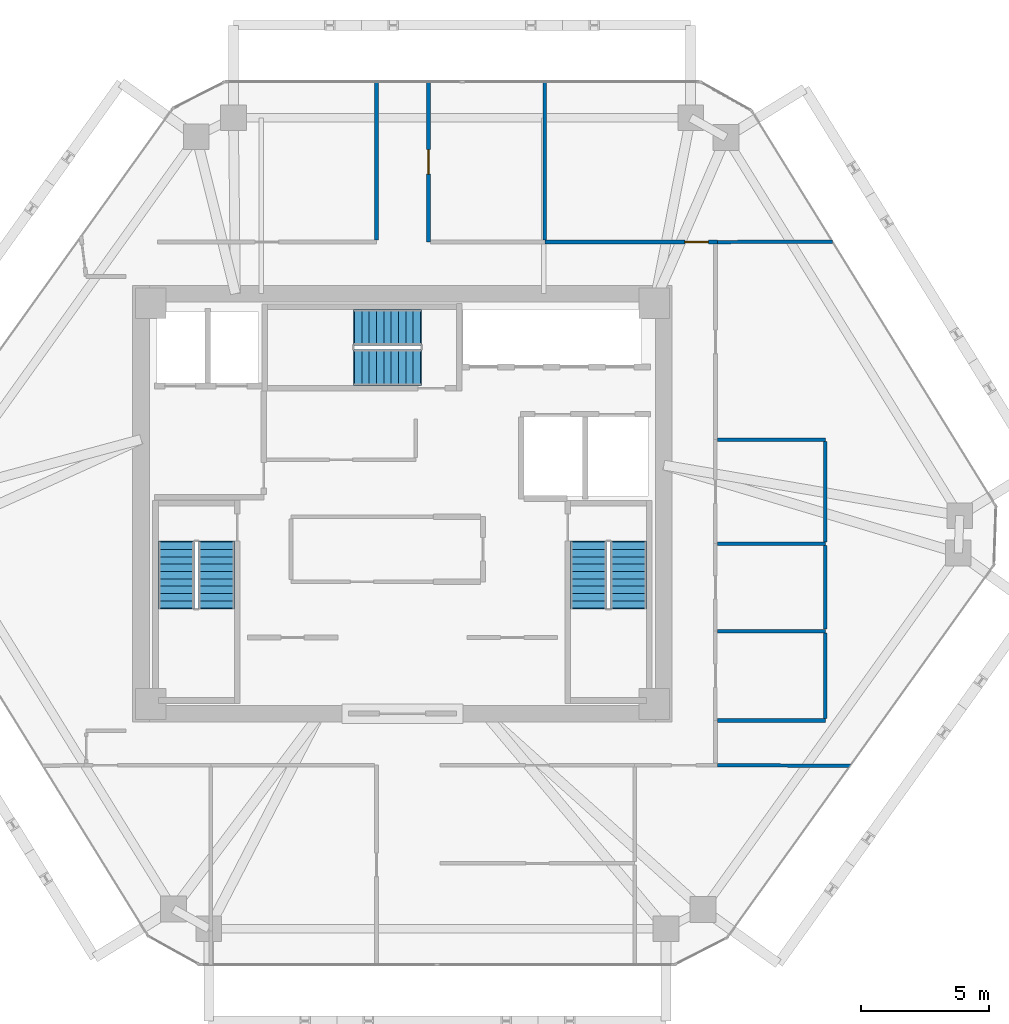
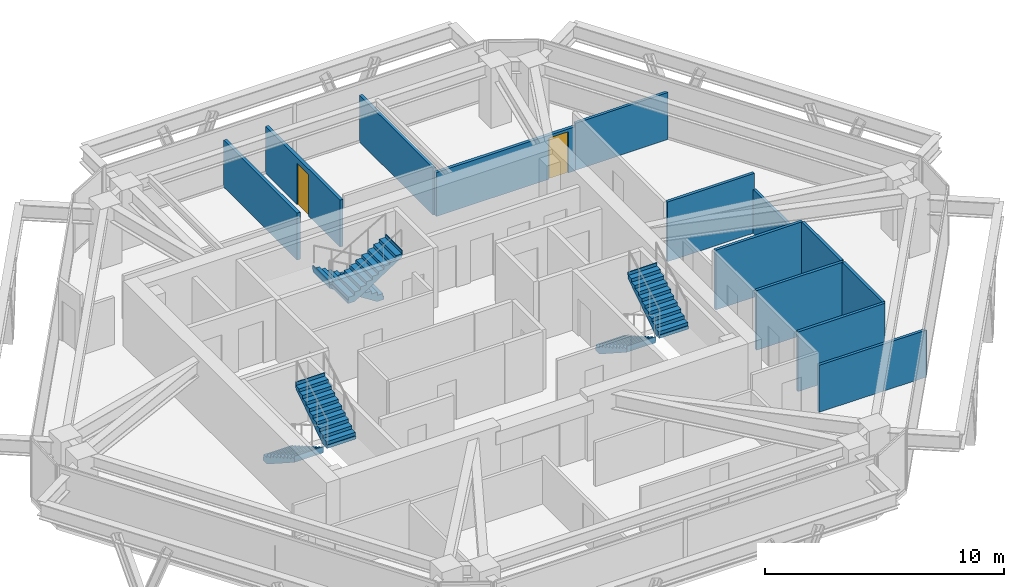
# One storey, part 10 of 11: 13 walls, 6 stair flights, 2 doors, 2 openings, 3 elements without a shape of their own.
"""IFC4 building model written with IfcOpenShell, lengths in metres."""

from ifc_helpers import new_model, si_unit, direction, frame, frame_2d, origin, place, context, subcontext, project, spatial, polyline, rectangle, outline, extrude, source, transform, mapped, material, layer, layer_set, type_object, type_shapes, element, fill, aggregate, save


model = new_model("IFC4")

# Units and contexts
model_context = context("Model", 3, precision=1e-05, world=origin(), true_north=direction((0.0, 1.0)))
body_context = subcontext(model_context, "Body", "Model", "MODEL_VIEW")
ifc_project = project(units=[si_unit("LENGTHUNIT", "METRE"), si_unit("AREAUNIT", "SQUARE_METRE"), si_unit("VOLUMEUNIT", "CUBIC_METRE"), si_unit("PLANEANGLEUNIT", "RADIAN"), si_unit("MASSUNIT", "GRAM", prefix="KILO")], contexts=[model_context])

# Site, building, storey
site_placement = place(None, origin())
site = spatial("IfcSite", under=ifc_project, at=site_placement, CompositionType="ELEMENT")
building_placement = place(site_placement, origin())
building = spatial("IfcBuilding", under=site, at=building_placement, Name="Durnholm Broadcast Tower", CompositionType="ELEMENT")
storey_placement = place(building_placement, frame((0.0, 0.0, 196.89990234375)))
storey = spatial("IfcBuildingStorey", under=building, at=storey_placement, Name="L54", CompositionType="ELEMENT", Elevation=196.89990234375)

# Walls
ifc_material_1 = material(Name="Gypsum Metal Stud Partition", Category="concrete")
ifc_layer_1 = layer(ifc_material_1, 0.135009765625)
ifc_layer_set_1 = layer_set([ifc_layer_1], Name="Gypsum Metal Stud Partition")
wall_type_1 = type_object("IfcWallType", Name="WALL-PART-135", PredefinedType="PARTITIONING", material=ifc_layer_set_1)
wall_1_placement = place(storey_placement, frame((5.5400390625, 16.41796875, 0.0), z_axis=(0.0, 0.0, 1.0), x_axis=(0.0, -1.0, 0.0)))
element("IfcWall", 1, at=wall_1_placement, inside=storey, type_object=wall_type_1, Name="L54 room dividing partition 10.11", PredefinedType="PARTITIONING", context=body_context, shape_type="SweptSolid", body=[
    extrude(rectangle(XDim=6.158935546875, YDim=0.135009765625, at=frame_2d((3.07958984375, 0.0))), origin(), (0.0, 0.0, 1.0), 2.39892578125),
])
wall_2_placement = place(storey_placement, frame((16.739990234375, 10.200927734375, 0.0), z_axis=(0.0, 0.0, 1.0), x_axis=(-0.999989522694, -0.004577608714, 0.0)))
element("IfcWall", 2, at=wall_2_placement, inside=storey, type_object=wall_type_1, Name="L54 room dividing partition 11.19", PredefinedType="PARTITIONING", context=body_context, shape_type="SweptSolid", body=[
    extrude(rectangle(XDim=4.47998046875, YDim=0.135009765625, at=frame_2d((2.239990234375, 0.0))), origin(), (0.0, 0.0, 1.0), 2.39892578125),
])
wall_3_placement = place(storey_placement, frame((12.260009765625, -10.180419921875, 0.0), z_axis=(0.0, 0.0, 1.0), x_axis=(0.999990144117, -0.004439782427, 0.0)))
element("IfcWall", 3, at=wall_3_placement, inside=storey, type_object=wall_type_1, Name="L54 room dividing partition 16.19", PredefinedType="PARTITIONING", context=body_context, shape_type="SweptSolid", body=[
    extrude(rectangle(XDim=5.1689453125, YDim=0.135009765625, at=frame_2d((2.58447265625, 0.0))), origin(), (0.0, 0.0, 1.0), 2.39892578125),
])
ifc_material_2 = material(Name="Acoustic Gypsum Stud Partition", Category="concrete")
ifc_layer_2 = layer(ifc_material_2, 0.14990234375)
ifc_layer_set_2 = layer_set([ifc_layer_2], Name="Acoustic Gypsum Stud Partition")
wall_type_2 = type_object("IfcWallType", Name="WALL-PART-150", PredefinedType="PARTITIONING", material=ifc_layer_set_2)
wall_4_placement = place(storey_placement, frame((-1.010009765625, 16.41796875, 0.0), z_axis=(0.0, 0.0, 1.0), x_axis=(0.0, -1.0, 0.0)))
element("IfcWall", 4, at=wall_4_placement, inside=storey, type_object=wall_type_2, Name="L54 Open Plan Broadcast Workspace 2 corridor partition", PredefinedType="PARTITIONING", context=body_context, shape_type="SweptSolid", body=[
    extrude(rectangle(XDim=6.158935546875, YDim=0.14990234375, at=frame_2d((3.07958984375, 0.0))), origin(), (0.0, 0.0, 1.0), 2.39892578125),
])

# Wall, opening, door
wall_5_placement = place(storey_placement, frame((1.010009765625, 10.179931640625, 0.0), z_axis=(0.0, 0.0, 1.0), x_axis=(0.0, 1.0, 0.0)))
wall_5 = element("IfcWall", 5, at=wall_5_placement, inside=storey, type_object=wall_type_2, Name="L54 Brand Review Lounge 2 corridor partition", PredefinedType="PARTITIONING", context=body_context, shape_type="SweptSolid", body=[
    extrude(rectangle(XDim=6.238037109375, YDim=0.14990234375, at=frame_2d((3.119140625, 0.0))), origin(), (0.0, 0.0, 1.0), 2.39892578125),
])
opening_1_placement = place(wall_5_placement, frame((2.64404296875, 0.0, 0.0)))
opening_1 = element("IfcOpeningElement", 6, at=opening_1_placement, cuts=wall_5, Name="Opening DR-95L", PredefinedType="OPENING", context=body_context, shape_type="SweptSolid", body=[
    extrude(rectangle(XDim=0.949951171875, YDim=2.10009765625, at=frame_2d((0.47509765625, 1.050048828125))), frame((0.0, 0.0849609375, 0.0), z_axis=(0.0, -1.0, 0.0), x_axis=(1.0, 0.0, 0.0)), (0.0, 0.0, 1.0), 0.169921875),
])
ifc_material_3 = material(Name="Acoustic Oak Veneer Timber Door", Category="wood")
ifc_layer_3 = layer(ifc_material_3, 0.050048828125)
ifc_layer_set_3 = layer_set([ifc_layer_3], Name="Acoustic Oak Veneer Timber Door")
door_type_1 = type_object("IfcDoorType", Name="DOOR-RM-950L", OperationType="NOTDEFINED", PredefinedType="DOOR", material=ifc_layer_set_3)
shared_shape_1 = source(origin(), body_context, "Body", "SweptSolid", [
    extrude(rectangle(XDim=0.949951171875, YDim=2.10009765625, at=frame_2d((0.47509765625, 1.050048828125))), frame((0.0, 0.02490234375, 0.0), z_axis=(0.0, -1.0, 0.0), x_axis=(1.0, 0.0, 0.0)), (0.0, 0.0, 1.0), 0.050048828125),
])
type_shapes(door_type_1, [shared_shape_1])
door_1_placement = place(opening_1_placement, origin())
door_1 = element("IfcDoor", 7, at=door_1_placement, inside=storey, type_object=door_type_1, Name="L54 Brand Review Lounge 2 entrance door", OperationType="SINGLE_SWING_LEFT", OverallHeight=2.10009765625, OverallWidth=0.949951171875, PredefinedType="DOOR", context=body_context, shape_type="MappedRepresentation", body=[
    mapped(shared_shape_1, transform((0.0, 0.0, 0.0), x_axis=(1.0, 0.0, 0.0), y_axis=(0.0, 1.0, 0.0), z_axis=(0.0, 0.0, 1.0), scale=1.0)),
])
fill(opening_1, door_1)

wall_6_placement = place(storey_placement, frame((12.260009765625, 10.179931640625, 0.0), z_axis=(0.0, 0.0, 1.0), x_axis=(-1.0, 0.0, 0.0)))
wall_6 = element("IfcWall", 8, at=wall_6_placement, inside=storey, type_object=wall_type_2, Name="L54 Open Plan Broadcast Workspace 4 corridor partition", PredefinedType="PARTITIONING", context=body_context, shape_type="SweptSolid", body=[
    extrude(rectangle(XDim=6.719970703125, YDim=0.14990234375, at=frame_2d((3.35986328125, 0.0))), origin(), (0.0, 0.0, 1.0), 2.241943359375),
])
opening_2_placement = place(wall_6_placement, frame((0.35009765625, 0.0, 0.0)))
opening_2 = element("IfcOpeningElement", 9, at=opening_2_placement, cuts=wall_6, Name="Opening DR-92R", PredefinedType="OPENING", context=body_context, shape_type="SweptSolid", body=[
    extrude(rectangle(XDim=0.919921875, YDim=2.10009765625, at=frame_2d((0.4599609375, 1.050048828125))), frame((0.0, 0.0849609375, 0.0), z_axis=(0.0, -1.0, 0.0), x_axis=(1.0, 0.0, 0.0)), (0.0, 0.0, 1.0), 0.169921875),
])
ifc_material_4 = material(Name="Oak Veneer Office Door", Category="wood")
ifc_layer_4 = layer(ifc_material_4, 0.050048828125)
ifc_layer_set_4 = layer_set([ifc_layer_4], Name="Oak Veneer Office Door")
door_type_2 = type_object("IfcDoorType", Name="DOOR-RM-920R", OperationType="NOTDEFINED", PredefinedType="DOOR", material=ifc_layer_set_4)
shared_shape_2 = source(origin(), body_context, "Body", "SweptSolid", [
    extrude(rectangle(XDim=0.919921875, YDim=2.10009765625, at=frame_2d((0.4599609375, 1.050048828125))), frame((0.0, 0.02490234375, 0.0), z_axis=(0.0, -1.0, 0.0), x_axis=(1.0, 0.0, 0.0)), (0.0, 0.0, 1.0), 0.050048828125),
])
type_shapes(door_type_2, [shared_shape_2])
door_2_placement = place(opening_2_placement, origin())
door_2 = element("IfcDoor", 10, at=door_2_placement, inside=storey, type_object=door_type_2, Name="L54 Open Plan Broadcast Workspace 4 entrance door", OperationType="SINGLE_SWING_RIGHT", OverallHeight=2.10009765625, OverallWidth=0.919921875, PredefinedType="DOOR", context=body_context, shape_type="MappedRepresentation", body=[
    mapped(shared_shape_2, transform((0.0, 0.0, 0.0), x_axis=(1.0, 0.0, 0.0), y_axis=(0.0, 1.0, 0.0), z_axis=(0.0, 0.0, 1.0), scale=1.0)),
])
fill(opening_2, door_2)

# Walls
ifc_material_5 = material(Name="Moisture-Resistant Tile Partition", Category="concrete")
ifc_layer_5 = layer(ifc_material_5, 0.139892578125)
ifc_layer_set_5 = layer_set([ifc_layer_5], Name="Moisture-Resistant Tile Partition")
wall_type_3 = type_object("IfcWallType", Name="WALL-WC-140", PredefinedType="PARTITIONING", material=ifc_layer_set_5)
wall_7_placement = place(storey_placement, frame((12.25390625, -4.9599609375, 0.0), z_axis=(0.0, 0.0, 1.0), x_axis=(1.0, 0.0, 0.0)))
element("IfcWall", 11, at=wall_7_placement, inside=storey, type_object=wall_type_3, Name="L54 room dividing partition 6.7", PredefinedType="PARTITIONING", context=body_context, shape_type="SweptSolid", body=[
    extrude(rectangle(XDim=4.2060546875, YDim=0.139892578125, at=frame_2d((2.10302734375, 0.0))), origin(), (0.0, 0.0, 1.0), 3.045166015625),
])
wall_8_placement = place(storey_placement, frame((16.4599609375, -8.43994140625, 0.0), z_axis=(0.0, 0.0, 1.0), x_axis=(-1.0, 0.0, 0.0)))
element("IfcWall", 12, at=wall_8_placement, inside=storey, type_object=wall_type_3, Name="L54 room dividing partition 6.19", PredefinedType="PARTITIONING", context=body_context, shape_type="SweptSolid", body=[
    extrude(rectangle(XDim=4.200927734375, YDim=0.139892578125, at=frame_2d((2.1005859375, 0.0))), origin(), (0.0, 0.0, 1.0), 3.045166015625),
])
wall_9_placement = place(storey_placement, frame((16.4599609375, -5.033935546875, 0.0), z_axis=(0.0, 0.0, 1.0), x_axis=(0.0, -1.0, 0.0)))
element("IfcWall", 13, at=wall_9_placement, inside=storey, type_object=wall_type_3, Name="L54 room dividing partition 6.19", PredefinedType="PARTITIONING", context=body_context, shape_type="SweptSolid", body=[
    extrude(rectangle(XDim=3.33203125, YDim=0.139892578125, at=frame_2d((1.666015625, 0.0))), origin(), (0.0, 0.0, 1.0), 3.045166015625),
])
wall_10_placement = place(storey_placement, frame((12.25390625, -1.56005859375, 0.0), z_axis=(0.0, 0.0, 1.0), x_axis=(1.0, 0.0, 0.0)))
element("IfcWall", 14, at=wall_10_placement, inside=storey, type_object=wall_type_3, Name="L54 room dividing partition 7.8", PredefinedType="PARTITIONING", context=body_context, shape_type="SweptSolid", body=[
    extrude(rectangle(XDim=4.2060546875, YDim=0.139892578125, at=frame_2d((2.10302734375, 0.0))), origin(), (0.0, 0.0, 1.0), 3.045166015625),
])
wall_11_placement = place(storey_placement, frame((16.4599609375, -1.634033203125, 0.0), z_axis=(0.0, 0.0, 1.0), x_axis=(0.0, -1.0, 0.0)))
element("IfcWall", 15, at=wall_11_placement, inside=storey, type_object=wall_type_3, Name="L54 room dividing partition 7.19", PredefinedType="PARTITIONING", context=body_context, shape_type="SweptSolid", body=[
    extrude(rectangle(XDim=3.251953125, YDim=0.139892578125, at=frame_2d((1.6259765625, 0.0))), origin(), (0.0, 0.0, 1.0), 3.045166015625),
])
wall_12_placement = place(storey_placement, frame((12.259033203125, 2.489990234375, 0.0), z_axis=(0.0, 0.0, 1.0), x_axis=(1.0, 0.0, 0.0)))
element("IfcWall", 16, at=wall_12_placement, inside=storey, type_object=wall_type_3, Name="L54 room dividing partition 8.19", PredefinedType="PARTITIONING", context=body_context, shape_type="SweptSolid", body=[
    extrude(rectangle(XDim=4.200927734375, YDim=0.139892578125, at=frame_2d((2.1005859375, 0.0))), origin(), (0.0, 0.0, 1.0), 3.045166015625),
])
wall_13_placement = place(storey_placement, frame((16.4599609375, 2.416015625, 0.0), z_axis=(0.0, 0.0, 1.0), x_axis=(0.0, -1.0, 0.0)))
element("IfcWall", 17, at=wall_13_placement, inside=storey, type_object=wall_type_3, Name="L54 room dividing partition 8.19", PredefinedType="PARTITIONING", context=body_context, shape_type="SweptSolid", body=[
    extrude(rectangle(XDim=3.902099609375, YDim=0.139892578125, at=frame_2d((1.951171875, 0.0))), origin(), (0.0, 0.0, 1.0), 2.241943359375),
])

# Stair, stair flights
ifc_material_6 = material(Name="Concrete C50/60", Category="concrete")
stair_type = type_object("IfcStairType", Name="STAIR-DL-20R1650", PredefinedType="HALF_TURN_STAIR", material=ifc_material_6)
stair_1_placement = place(storey_placement, origin())
stair_1 = element("IfcStair", 18, at=stair_1_placement, inside=storey, type_object=stair_type, Name="L54 ST-1", PredefinedType="HALF_TURN_STAIR")
stair_flight_type = type_object("IfcStairFlightType", Name="FLIGHT-DL-20R1650", PredefinedType="STRAIGHT", material=ifc_material_6)
stair_flight_1_placement = place(storey_placement, frame((-8.800048828125, -1.5, 0.0), z_axis=(0.0, 0.0, 1.0), x_axis=(0.0, -1.0, 0.0)))
stair_flight_1 = element("IfcStairFlight", 19, at=stair_flight_1_placement, type_object=stair_flight_type, Name="ST-1 flight 1", NumberOfRisers=10, NumberOfTreads=9, PredefinedType="STRAIGHT", RiserHeight=0.165, TreadLength=0.285, context=body_context, shape_type="SweptSolid", body=[
    extrude(outline(polyline([(-0.0400390625, -0.14990234375), (-0.0400390625, 0.0), (0.0, 0.0), (0.0, 0.1650390625), (0.284912109375, 0.1650390625), (0.284912109375, 0.330078125), (0.570068359375, 0.330078125), (0.570068359375, 0.4951171875), (0.85498046875, 0.4951171875), (0.85498046875, 0.659912109375), (1.139892578125, 0.659912109375), (1.139892578125, 0.824951171875), (1.425048828125, 0.824951171875), (1.425048828125, 0.989990234375), (1.7099609375, 0.989990234375), (1.7099609375, 1.155029296875), (1.9951171875, 1.155029296875), (1.9951171875, 1.320068359375), (2.280029296875, 1.320068359375), (2.280029296875, 1.485107421875), (2.56494140625, 1.485107421875), (2.56494140625, 1.64990234375), (2.60498046875, 1.64990234375), (2.60498046875, 1.5), (2.56494140625, 1.311767578125), (0.299072265625, -0.14990234375), (-0.0400390625, -0.14990234375)])), frame((0.0, 0.699951171875, 0.0), z_axis=(0.0, -1.0, 0.0), x_axis=(1.0, 0.0, 0.0)), (0.0, 0.0, 1.0), 1.39990234375),
])
stair_flight_2_placement = place(storey_placement, frame((-7.239990234375, -4.06494140625, 1.650146484375), z_axis=(0.0, 0.0, 1.0), x_axis=(0.0, 1.0, 0.0)))
stair_flight_2 = element("IfcStairFlight", 20, at=stair_flight_2_placement, type_object=stair_flight_type, Name="ST-1 flight 2", NumberOfRisers=10, NumberOfTreads=9, PredefinedType="STRAIGHT", RiserHeight=0.165, TreadLength=0.285, context=body_context, shape_type="SweptSolid", body=[
    extrude(outline(polyline([(-0.0400390625, -0.14990234375), (-0.0400390625, 0.0), (0.0, 0.0), (0.0, 0.1650390625), (0.284912109375, 0.1650390625), (0.284912109375, 0.330078125), (0.570068359375, 0.330078125), (0.570068359375, 0.4951171875), (0.85498046875, 0.4951171875), (0.85498046875, 0.659912109375), (1.139892578125, 0.659912109375), (1.139892578125, 0.824951171875), (1.425048828125, 0.824951171875), (1.425048828125, 0.989990234375), (1.7099609375, 0.989990234375), (1.7099609375, 1.155029296875), (1.9951171875, 1.155029296875), (1.9951171875, 1.320068359375), (2.280029296875, 1.320068359375), (2.280029296875, 1.485107421875), (2.56494140625, 1.485107421875), (2.56494140625, 1.64990234375), (2.60498046875, 1.64990234375), (2.60498046875, 1.5), (2.56494140625, 1.311767578125), (0.299072265625, -0.14990234375), (-0.0400390625, -0.14990234375)])), frame((0.0, 0.699951171875, 0.0), z_axis=(0.0, -1.0, 0.0), x_axis=(1.0, 0.0, 0.0)), (0.0, 0.0, 1.0), 1.39990234375),
])
aggregate(stair_1, [stair_flight_1, stair_flight_2])

stair_2_placement = place(storey_placement, origin())
stair_2 = element("IfcStair", 21, at=stair_2_placement, inside=storey, type_object=stair_type, Name="L54 ST-2", PredefinedType="HALF_TURN_STAIR")
stair_flight_3_placement = place(storey_placement, frame((7.239990234375, -1.5, 0.0), z_axis=(0.0, 0.0, 1.0), x_axis=(0.0, -1.0, 0.0)))
stair_flight_3 = element("IfcStairFlight", 22, at=stair_flight_3_placement, type_object=stair_flight_type, Name="ST-2 flight 1", NumberOfRisers=10, NumberOfTreads=9, PredefinedType="STRAIGHT", RiserHeight=0.165, TreadLength=0.285, context=body_context, shape_type="SweptSolid", body=[
    extrude(outline(polyline([(-0.0400390625, -0.14990234375), (-0.0400390625, 0.0), (0.0, 0.0), (0.0, 0.1650390625), (0.284912109375, 0.1650390625), (0.284912109375, 0.330078125), (0.570068359375, 0.330078125), (0.570068359375, 0.4951171875), (0.85498046875, 0.4951171875), (0.85498046875, 0.659912109375), (1.139892578125, 0.659912109375), (1.139892578125, 0.824951171875), (1.425048828125, 0.824951171875), (1.425048828125, 0.989990234375), (1.7099609375, 0.989990234375), (1.7099609375, 1.155029296875), (1.9951171875, 1.155029296875), (1.9951171875, 1.320068359375), (2.280029296875, 1.320068359375), (2.280029296875, 1.485107421875), (2.56494140625, 1.485107421875), (2.56494140625, 1.64990234375), (2.60498046875, 1.64990234375), (2.60498046875, 1.5), (2.56494140625, 1.311767578125), (0.299072265625, -0.14990234375), (-0.0400390625, -0.14990234375)])), frame((0.0, 0.699951171875, 0.0), z_axis=(0.0, -1.0, 0.0), x_axis=(1.0, 0.0, 0.0)), (0.0, 0.0, 1.0), 1.39990234375),
])
stair_flight_4_placement = place(storey_placement, frame((8.800048828125, -4.06494140625, 1.650146484375), z_axis=(0.0, 0.0, 1.0), x_axis=(0.0, 1.0, 0.0)))
stair_flight_4 = element("IfcStairFlight", 23, at=stair_flight_4_placement, type_object=stair_flight_type, Name="ST-2 flight 2", NumberOfRisers=10, NumberOfTreads=9, PredefinedType="STRAIGHT", RiserHeight=0.165, TreadLength=0.285, context=body_context, shape_type="SweptSolid", body=[
    extrude(outline(polyline([(-0.0400390625, -0.14990234375), (-0.0400390625, 0.0), (0.0, 0.0), (0.0, 0.1650390625), (0.284912109375, 0.1650390625), (0.284912109375, 0.330078125), (0.570068359375, 0.330078125), (0.570068359375, 0.4951171875), (0.85498046875, 0.4951171875), (0.85498046875, 0.659912109375), (1.139892578125, 0.659912109375), (1.139892578125, 0.824951171875), (1.425048828125, 0.824951171875), (1.425048828125, 0.989990234375), (1.7099609375, 0.989990234375), (1.7099609375, 1.155029296875), (1.9951171875, 1.155029296875), (1.9951171875, 1.320068359375), (2.280029296875, 1.320068359375), (2.280029296875, 1.485107421875), (2.56494140625, 1.485107421875), (2.56494140625, 1.64990234375), (2.60498046875, 1.64990234375), (2.60498046875, 1.5), (2.56494140625, 1.311767578125), (0.299072265625, -0.14990234375), (-0.0400390625, -0.14990234375)])), frame((0.0, 0.699951171875, 0.0), z_axis=(0.0, -1.0, 0.0), x_axis=(1.0, 0.0, 0.0)), (0.0, 0.0, 1.0), 1.39990234375),
])
aggregate(stair_2, [stair_flight_3, stair_flight_4])

stair_3_placement = place(storey_placement, origin())
stair_3 = element("IfcStair", 24, at=stair_3_placement, inside=storey, type_object=stair_type, Name="L54 ST-3", PredefinedType="HALF_TURN_STAIR")
stair_flight_5_placement = place(storey_placement, frame((0.699951171875, 6.860107421875, 0.0), z_axis=(0.0, 0.0, 1.0), x_axis=(-1.0, 0.0, 0.0)))
stair_flight_5 = element("IfcStairFlight", 25, at=stair_flight_5_placement, type_object=stair_flight_type, Name="ST-3 flight 1", NumberOfRisers=10, NumberOfTreads=9, PredefinedType="STRAIGHT", RiserHeight=0.165, TreadLength=0.285, context=body_context, shape_type="SweptSolid", body=[
    extrude(outline(polyline([(-0.0400390625, -0.14990234375), (-0.0400390625, 0.0), (0.0, 0.0), (0.0, 0.1650390625), (0.284912109375, 0.1650390625), (0.284912109375, 0.330078125), (0.570068359375, 0.330078125), (0.570068359375, 0.4951171875), (0.85498046875, 0.4951171875), (0.85498046875, 0.659912109375), (1.139892578125, 0.659912109375), (1.139892578125, 0.824951171875), (1.425048828125, 0.824951171875), (1.425048828125, 0.989990234375), (1.7099609375, 0.989990234375), (1.7099609375, 1.155029296875), (1.9951171875, 1.155029296875), (1.9951171875, 1.320068359375), (2.280029296875, 1.320068359375), (2.280029296875, 1.485107421875), (2.56494140625, 1.485107421875), (2.56494140625, 1.64990234375), (2.60498046875, 1.64990234375), (2.60498046875, 1.5), (2.56494140625, 1.311767578125), (0.299072265625, -0.14990234375), (-0.0400390625, -0.14990234375)])), frame((0.0, 0.699951171875, 0.0), z_axis=(0.0, -1.0, 0.0), x_axis=(1.0, 0.0, 0.0)), (0.0, 0.0, 1.0), 1.39990234375),
])
stair_flight_6_placement = place(storey_placement, frame((-1.864990234375, 5.300048828125, 1.650146484375), z_axis=(0.0, 0.0, 1.0), x_axis=(1.0, 0.0, 0.0)))
stair_flight_6 = element("IfcStairFlight", 26, at=stair_flight_6_placement, type_object=stair_flight_type, Name="ST-3 flight 2", NumberOfRisers=10, NumberOfTreads=9, PredefinedType="STRAIGHT", RiserHeight=0.165, TreadLength=0.285, context=body_context, shape_type="SweptSolid", body=[
    extrude(outline(polyline([(-0.0400390625, -0.14990234375), (-0.0400390625, 0.0), (0.0, 0.0), (0.0, 0.1650390625), (0.284912109375, 0.1650390625), (0.284912109375, 0.330078125), (0.570068359375, 0.330078125), (0.570068359375, 0.4951171875), (0.85498046875, 0.4951171875), (0.85498046875, 0.659912109375), (1.139892578125, 0.659912109375), (1.139892578125, 0.824951171875), (1.425048828125, 0.824951171875), (1.425048828125, 0.989990234375), (1.7099609375, 0.989990234375), (1.7099609375, 1.155029296875), (1.9951171875, 1.155029296875), (1.9951171875, 1.320068359375), (2.280029296875, 1.320068359375), (2.280029296875, 1.485107421875), (2.56494140625, 1.485107421875), (2.56494140625, 1.64990234375), (2.60498046875, 1.64990234375), (2.60498046875, 1.5), (2.56494140625, 1.311767578125), (0.299072265625, -0.14990234375), (-0.0400390625, -0.14990234375)])), frame((0.0, 0.699951171875, 0.0), z_axis=(0.0, -1.0, 0.0), x_axis=(1.0, 0.0, 0.0)), (0.0, 0.0, 1.0), 1.39990234375),
])
aggregate(stair_3, [stair_flight_5, stair_flight_6])

save(model, "model.ifc")
